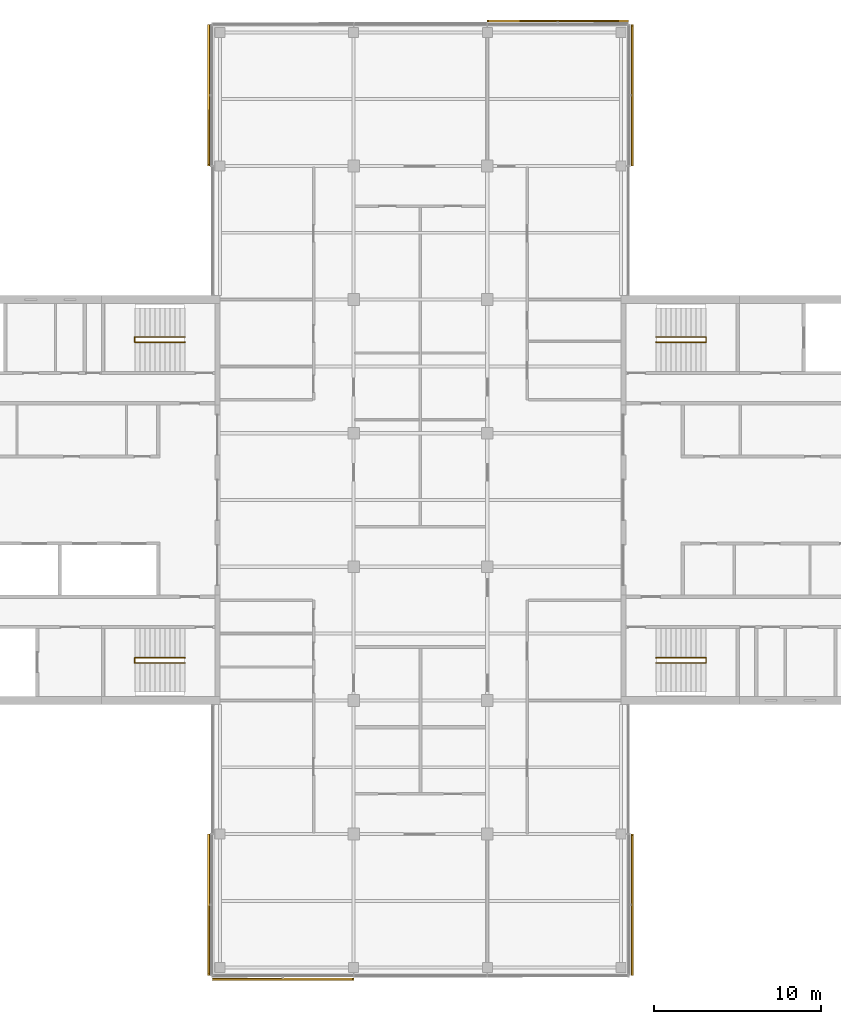
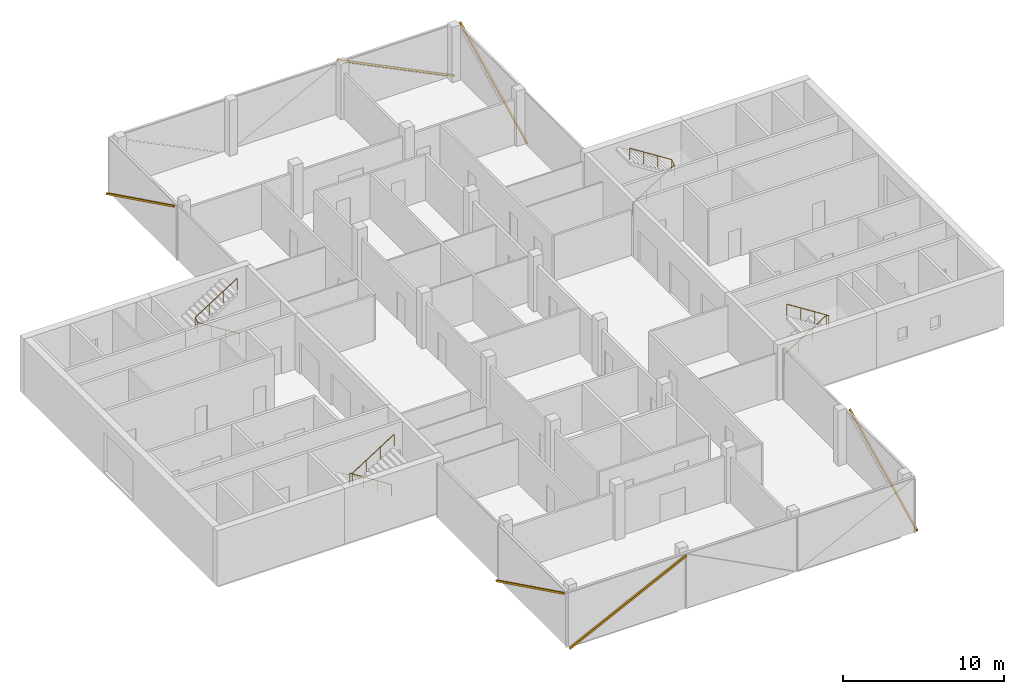
# One storey, part 16 of 16: 6 shading devices, 4 railings, 6 elements without a shape of their own.
"""IFC4 building model written with IfcOpenShell, lengths in metres."""

from ifc_helpers import new_model, si_unit, direction, frame, origin, origin_2d, place, context, subcontext, project, spatial, rectangle, circle, extrude, material, material_profile, profile_set, type_object, element, aggregate, save


model = new_model("IFC4")

# Units and contexts
model_context = context("Model", 3, precision=1e-05, world=origin(), true_north=direction((0.0, 1.0)))
body_context = subcontext(model_context, "Body", "Model", "MODEL_VIEW")
ifc_project = project(units=[si_unit("LENGTHUNIT", "METRE"), si_unit("AREAUNIT", "SQUARE_METRE"), si_unit("VOLUMEUNIT", "CUBIC_METRE"), si_unit("PLANEANGLEUNIT", "RADIAN"), si_unit("MASSUNIT", "GRAM", prefix="KILO")], contexts=[model_context])

# Site, building, storey
site_placement = place(None, origin())
site = spatial("IfcSite", under=ifc_project, at=site_placement, CompositionType="ELEMENT")
building_placement = place(site_placement, origin())
building = spatial("IfcBuilding", under=site, at=building_placement, Name="Crosswind Convention Tower", CompositionType="ELEMENT")
storey_placement = place(building_placement, frame((0.0, 0.0, 274.5)))
storey = spatial("IfcBuildingStorey", under=building, at=storey_placement, Name="L59", CompositionType="ELEMENT", Elevation=274.5)

# Railings
ifc_material_1 = material(Name="Stainless steel", Category="steel")
railing_type = type_object("IfcRailingType", Name="Stair handrail 900", PredefinedType="HANDRAIL", material=ifc_material_1)
railing_1_placement = place(storey_placement, frame((139.10009765625, 109.43994140625, 0.19091796875)))
element("IfcRailing", 1, at=railing_1_placement, inside=storey, type_object=railing_type, Name="Stair ST1 handrail L59", PredefinedType="HANDRAIL", context=body_context, shape_type="SweptSolid", body=[
    extrude(circle(Radius=0.02392578125, at=origin_2d()), frame((0.0, 0.0, 0.8759765625), z_axis=(0.843650179428, 0.0, 0.536893261973), x_axis=(0.0, 1.0, 0.0)), (0.0, 0.0, 1.0), 3.555908203125),
    extrude(circle(Radius=0.02392578125, at=origin_2d()), frame((3.0, 0.0, 2.78515625), z_axis=(0.0, 0.858819504967, 0.512278301208), x_axis=(-1.0, 0.0, 0.0)), (0.0, 0.0, 1.0), 0.372802734375),
    extrude(circle(Radius=0.02392578125, at=origin_2d()), frame((3.0, 0.320068359375, 2.97607421875), z_axis=(-0.843681277094, 0.0, 0.536844393359), x_axis=(0.0, -1.0, 0.0)), (0.0, 0.0, 1.0), 3.555908203125),
    extrude(circle(Radius=0.02099609375, at=origin_2d()), origin(), (0.0, 0.0, 1.0), 0.851806640625),
    extrude(circle(Radius=0.02099609375, at=origin_2d()), frame((1.0, 0.0, 0.636474609375)), (0.0, 0.0, 1.0), 0.851806640625),
    extrude(circle(Radius=0.02099609375, at=origin_2d()), frame((2.0, 0.0, 1.272705078125)), (0.0, 0.0, 1.0), 0.851806640625),
    extrude(circle(Radius=0.02099609375, at=origin_2d()), frame((3.0, 0.0, 1.9091796875)), (0.0, 0.0, 1.0), 0.851806640625),
    extrude(circle(Radius=0.02099609375, at=origin_2d()), frame((3.0, 0.320068359375, 2.10009765625)), (0.0, 0.0, 1.0), 0.851806640625),
    extrude(circle(Radius=0.02099609375, at=origin_2d()), frame((2.0, 0.320068359375, 2.736328125)), (0.0, 0.0, 1.0), 0.851806640625),
    extrude(circle(Radius=0.02099609375, at=origin_2d()), frame((1.0, 0.320068359375, 3.372802734375)), (0.0, 0.0, 1.0), 0.851806640625),
    extrude(circle(Radius=0.02099609375, at=origin_2d()), frame((0.0, 0.320068359375, 4.009033203125)), (0.0, 0.0, 1.0), 0.851806640625),
])
railing_2_placement = place(storey_placement, frame((139.10009765625, 90.56005859375, 0.19091796875)))
element("IfcRailing", 2, at=railing_2_placement, inside=storey, type_object=railing_type, Name="Stair ST2 handrail L59", PredefinedType="HANDRAIL", context=body_context, shape_type="SweptSolid", body=[
    extrude(circle(Radius=0.02392578125, at=origin_2d()), frame((0.0, 0.0, 0.8759765625), z_axis=(0.843650179428, 0.0, 0.536893261973), x_axis=(0.0, 1.0, 0.0)), (0.0, 0.0, 1.0), 3.555908203125),
    extrude(circle(Radius=0.02392578125, at=origin_2d()), frame((3.0, 0.0, 2.78515625), z_axis=(0.0, -0.858819504967, 0.512278301208), x_axis=(1.0, 0.0, 0.0)), (0.0, 0.0, 1.0), 0.372802734375),
    extrude(circle(Radius=0.02392578125, at=origin_2d()), frame((3.0, -0.320068359375, 2.97607421875), z_axis=(-0.843681277094, 0.0, 0.536844393359), x_axis=(0.0, -1.0, 0.0)), (0.0, 0.0, 1.0), 3.555908203125),
    extrude(circle(Radius=0.02099609375, at=origin_2d()), origin(), (0.0, 0.0, 1.0), 0.851806640625),
    extrude(circle(Radius=0.02099609375, at=origin_2d()), frame((1.0, 0.0, 0.636474609375)), (0.0, 0.0, 1.0), 0.851806640625),
    extrude(circle(Radius=0.02099609375, at=origin_2d()), frame((2.0, 0.0, 1.272705078125)), (0.0, 0.0, 1.0), 0.851806640625),
    extrude(circle(Radius=0.02099609375, at=origin_2d()), frame((3.0, 0.0, 1.9091796875)), (0.0, 0.0, 1.0), 0.851806640625),
    extrude(circle(Radius=0.02099609375, at=origin_2d()), frame((3.0, -0.320068359375, 2.10009765625)), (0.0, 0.0, 1.0), 0.851806640625),
    extrude(circle(Radius=0.02099609375, at=origin_2d()), frame((2.0, -0.320068359375, 2.736328125)), (0.0, 0.0, 1.0), 0.851806640625),
    extrude(circle(Radius=0.02099609375, at=origin_2d()), frame((1.0, -0.320068359375, 3.372802734375)), (0.0, 0.0, 1.0), 0.851806640625),
    extrude(circle(Radius=0.02099609375, at=origin_2d()), frame((0.0, -0.320068359375, 4.009033203125)), (0.0, 0.0, 1.0), 0.851806640625),
])
railing_3_placement = place(storey_placement, frame((110.89990234375, 90.56005859375, 0.19091796875)))
element("IfcRailing", 3, at=railing_3_placement, inside=storey, type_object=railing_type, Name="Stair ST3 handrail L59", PredefinedType="HANDRAIL", context=body_context, shape_type="SweptSolid", body=[
    extrude(circle(Radius=0.02392578125, at=origin_2d()), frame((0.0, 0.0, 0.8759765625), z_axis=(-0.843650179428, 0.0, 0.536893261973), x_axis=(0.0, -1.0, 0.0)), (0.0, 0.0, 1.0), 3.555908203125),
    extrude(circle(Radius=0.02392578125, at=origin_2d()), frame((-3.0, 0.0, 2.78515625), z_axis=(0.0, -0.858819504967, 0.512278301208), x_axis=(1.0, 0.0, 0.0)), (0.0, 0.0, 1.0), 0.372802734375),
    extrude(circle(Radius=0.02392578125, at=origin_2d()), frame((-3.0, -0.320068359375, 2.97607421875), z_axis=(0.843681277094, 0.0, 0.536844393359), x_axis=(0.0, 1.0, 0.0)), (0.0, 0.0, 1.0), 3.555908203125),
    extrude(circle(Radius=0.02099609375, at=origin_2d()), origin(), (0.0, 0.0, 1.0), 0.851806640625),
    extrude(circle(Radius=0.02099609375, at=origin_2d()), frame((-1.0, 0.0, 0.636474609375)), (0.0, 0.0, 1.0), 0.851806640625),
    extrude(circle(Radius=0.02099609375, at=origin_2d()), frame((-2.0, 0.0, 1.272705078125)), (0.0, 0.0, 1.0), 0.851806640625),
    extrude(circle(Radius=0.02099609375, at=origin_2d()), frame((-3.0, 0.0, 1.9091796875)), (0.0, 0.0, 1.0), 0.851806640625),
    extrude(circle(Radius=0.02099609375, at=origin_2d()), frame((-3.0, -0.320068359375, 2.10009765625)), (0.0, 0.0, 1.0), 0.851806640625),
    extrude(circle(Radius=0.02099609375, at=origin_2d()), frame((-2.0, -0.320068359375, 2.736328125)), (0.0, 0.0, 1.0), 0.851806640625),
    extrude(circle(Radius=0.02099609375, at=origin_2d()), frame((-1.0, -0.320068359375, 3.372802734375)), (0.0, 0.0, 1.0), 0.851806640625),
    extrude(circle(Radius=0.02099609375, at=origin_2d()), frame((0.0, -0.320068359375, 4.009033203125)), (0.0, 0.0, 1.0), 0.851806640625),
])
railing_4_placement = place(storey_placement, frame((110.89990234375, 109.43994140625, 0.19091796875)))
element("IfcRailing", 4, at=railing_4_placement, inside=storey, type_object=railing_type, Name="Stair ST4 handrail L59", PredefinedType="HANDRAIL", context=body_context, shape_type="SweptSolid", body=[
    extrude(circle(Radius=0.02392578125, at=origin_2d()), frame((0.0, 0.0, 0.8759765625), z_axis=(-0.843650179428, 0.0, 0.536893261973), x_axis=(0.0, -1.0, 0.0)), (0.0, 0.0, 1.0), 3.555908203125),
    extrude(circle(Radius=0.02392578125, at=origin_2d()), frame((-3.0, 0.0, 2.78515625), z_axis=(0.0, 0.858819504967, 0.512278301208), x_axis=(-1.0, 0.0, 0.0)), (0.0, 0.0, 1.0), 0.372802734375),
    extrude(circle(Radius=0.02392578125, at=origin_2d()), frame((-3.0, 0.320068359375, 2.97607421875), z_axis=(0.843681277094, 0.0, 0.536844393359), x_axis=(0.0, 1.0, 0.0)), (0.0, 0.0, 1.0), 3.555908203125),
    extrude(circle(Radius=0.02099609375, at=origin_2d()), origin(), (0.0, 0.0, 1.0), 0.851806640625),
    extrude(circle(Radius=0.02099609375, at=origin_2d()), frame((-1.0, 0.0, 0.636474609375)), (0.0, 0.0, 1.0), 0.851806640625),
    extrude(circle(Radius=0.02099609375, at=origin_2d()), frame((-2.0, 0.0, 1.272705078125)), (0.0, 0.0, 1.0), 0.851806640625),
    extrude(circle(Radius=0.02099609375, at=origin_2d()), frame((-3.0, 0.0, 1.9091796875)), (0.0, 0.0, 1.0), 0.851806640625),
    extrude(circle(Radius=0.02099609375, at=origin_2d()), frame((-3.0, 0.320068359375, 2.10009765625)), (0.0, 0.0, 1.0), 0.851806640625),
    extrude(circle(Radius=0.02099609375, at=origin_2d()), frame((-2.0, 0.320068359375, 2.736328125)), (0.0, 0.0, 1.0), 0.851806640625),
    extrude(circle(Radius=0.02099609375, at=origin_2d()), frame((-1.0, 0.320068359375, 3.372802734375)), (0.0, 0.0, 1.0), 0.851806640625),
    extrude(circle(Radius=0.02099609375, at=origin_2d()), frame((0.0, 0.320068359375, 4.009033203125)), (0.0, 0.0, 1.0), 0.851806640625),
])

# Curtain wall, shading device
ifc_material_2 = material(Name="Aluminium unitised curtain wall", Category="aluminium")
curtain_wall_type = type_object("IfcCurtainWallType", Name="OFFICE UNITISED WALL 220", PredefinedType="USERDEFINED", material=ifc_material_2)
curtain_wall_1_placement = place(storey_placement, origin())
curtain_wall_1 = element("IfcCurtainWall", 5, at=curtain_wall_1_placement, inside=storey, type_object=curtain_wall_type, Name="CW3 L59 N-E 1", ObjectType="UNITISED", PredefinedType="USERDEFINED")
ifc_material_3 = material(Name="Extruded terracotta", Category="masonry")
ifc_material_profile = material_profile(ifc_material_3, rectangle(XDim=0.110107421875, YDim=0.1298828125, at=origin_2d()), Name="TC 110X130")
ifc_profile_set = profile_set([ifc_material_profile], Name="Extruded terracotta")
shading_device_type = type_object("IfcShadingDeviceType", Name="TERRACOTTA BAGUETTE 130X110", PredefinedType="USERDEFINED", material=ifc_profile_set)
shading_device_1_placement = place(storey_placement, frame((137.680908203125, 120.034912109375, -0.300048828125), z_axis=(0.0, 0.897187705251, 0.441649432862), x_axis=(-1.0, 0.0, 0.0)))
shading_device_1 = element("IfcShadingDevice", 6, at=shading_device_1_placement, type_object=shading_device_type, Name="CW3 terracotta baguette 1", ObjectType="BAGUETTE", PredefinedType="USERDEFINED", context=body_context, shape_type="SweptSolid", body=[
    extrude(rectangle(XDim=0.110107421875, YDim=0.1298828125, at=origin_2d()), origin(), (0.0, 0.0, 1.0), 9.3515625),
])
aggregate(curtain_wall_1, [shading_device_1])

curtain_wall_2_placement = place(storey_placement, origin())
curtain_wall_2 = element("IfcCurtainWall", 7, at=curtain_wall_2_placement, inside=storey, type_object=curtain_wall_type, Name="CW3 L59 N-TIP 1", ObjectType="UNITISED", PredefinedType="USERDEFINED")
shading_device_2_placement = place(storey_placement, frame((137.425048828125, 128.680908203125, -0.300048828125), z_axis=(-0.897187705251, 0.0, 0.441649432862), x_axis=(0.0, -1.0, 0.0)))
shading_device_2 = element("IfcShadingDevice", 8, at=shading_device_2_placement, type_object=shading_device_type, Name="CW3 terracotta baguette 1", ObjectType="BAGUETTE", PredefinedType="USERDEFINED", context=body_context, shape_type="SweptSolid", body=[
    extrude(rectangle(XDim=0.110107421875, YDim=0.1298828125, at=origin_2d()), origin(), (0.0, 0.0, 1.0), 9.3515625),
])
aggregate(curtain_wall_2, [shading_device_2])

curtain_wall_3_placement = place(storey_placement, origin())
curtain_wall_3 = element("IfcCurtainWall", 9, at=curtain_wall_3_placement, inside=storey, type_object=curtain_wall_type, Name="CW3 L59 N-W 1", ObjectType="UNITISED", PredefinedType="USERDEFINED")
shading_device_3_placement = place(storey_placement, frame((112.319091796875, 128.425048828125, -0.300048828125), z_axis=(0.0, -0.897187705251, 0.441649432862), x_axis=(1.0, 0.0, 0.0)))
shading_device_3 = element("IfcShadingDevice", 10, at=shading_device_3_placement, type_object=shading_device_type, Name="CW3 terracotta baguette 1", ObjectType="BAGUETTE", PredefinedType="USERDEFINED", context=body_context, shape_type="SweptSolid", body=[
    extrude(rectangle(XDim=0.110107421875, YDim=0.1298828125, at=origin_2d()), origin(), (0.0, 0.0, 1.0), 9.3515625),
])
aggregate(curtain_wall_3, [shading_device_3])

curtain_wall_4_placement = place(storey_placement, origin())
curtain_wall_4 = element("IfcCurtainWall", 11, at=curtain_wall_4_placement, inside=storey, type_object=curtain_wall_type, Name="CW3 L59 S-W 1", ObjectType="UNITISED", PredefinedType="USERDEFINED")
shading_device_4_placement = place(storey_placement, frame((112.319091796875, 79.965087890625, -0.300048828125), z_axis=(0.0, -0.897187705251, 0.441649432862), x_axis=(1.0, 0.0, 0.0)))
shading_device_4 = element("IfcShadingDevice", 12, at=shading_device_4_placement, type_object=shading_device_type, Name="CW3 terracotta baguette 1", ObjectType="BAGUETTE", PredefinedType="USERDEFINED", context=body_context, shape_type="SweptSolid", body=[
    extrude(rectangle(XDim=0.110107421875, YDim=0.1298828125, at=origin_2d()), origin(), (0.0, 0.0, 1.0), 9.3515625),
])
aggregate(curtain_wall_4, [shading_device_4])

curtain_wall_5_placement = place(storey_placement, origin())
curtain_wall_5 = element("IfcCurtainWall", 13, at=curtain_wall_5_placement, inside=storey, type_object=curtain_wall_type, Name="CW3 L59 S-TIP 1", ObjectType="UNITISED", PredefinedType="USERDEFINED")
shading_device_5_placement = place(storey_placement, frame((112.574951171875, 71.319091796875, -0.300048828125), z_axis=(0.897187705251, 0.0, 0.441649432862), x_axis=(0.0, 1.0, 0.0)))
shading_device_5 = element("IfcShadingDevice", 14, at=shading_device_5_placement, type_object=shading_device_type, Name="CW3 terracotta baguette 1", ObjectType="BAGUETTE", PredefinedType="USERDEFINED", context=body_context, shape_type="SweptSolid", body=[
    extrude(rectangle(XDim=0.110107421875, YDim=0.1298828125, at=origin_2d()), origin(), (0.0, 0.0, 1.0), 9.3515625),
])
aggregate(curtain_wall_5, [shading_device_5])

curtain_wall_6_placement = place(storey_placement, origin())
curtain_wall_6 = element("IfcCurtainWall", 15, at=curtain_wall_6_placement, inside=storey, type_object=curtain_wall_type, Name="CW3 L59 S-E 1", ObjectType="UNITISED", PredefinedType="USERDEFINED")
shading_device_6_placement = place(storey_placement, frame((137.680908203125, 71.574951171875, -0.300048828125), z_axis=(0.0, 0.897187705251, 0.441649432862), x_axis=(-1.0, 0.0, 0.0)))
shading_device_6 = element("IfcShadingDevice", 16, at=shading_device_6_placement, type_object=shading_device_type, Name="CW3 terracotta baguette 1", ObjectType="BAGUETTE", PredefinedType="USERDEFINED", context=body_context, shape_type="SweptSolid", body=[
    extrude(rectangle(XDim=0.110107421875, YDim=0.1298828125, at=origin_2d()), origin(), (0.0, 0.0, 1.0), 9.3515625),
])
aggregate(curtain_wall_6, [shading_device_6])

save(model, "model.ifc")
